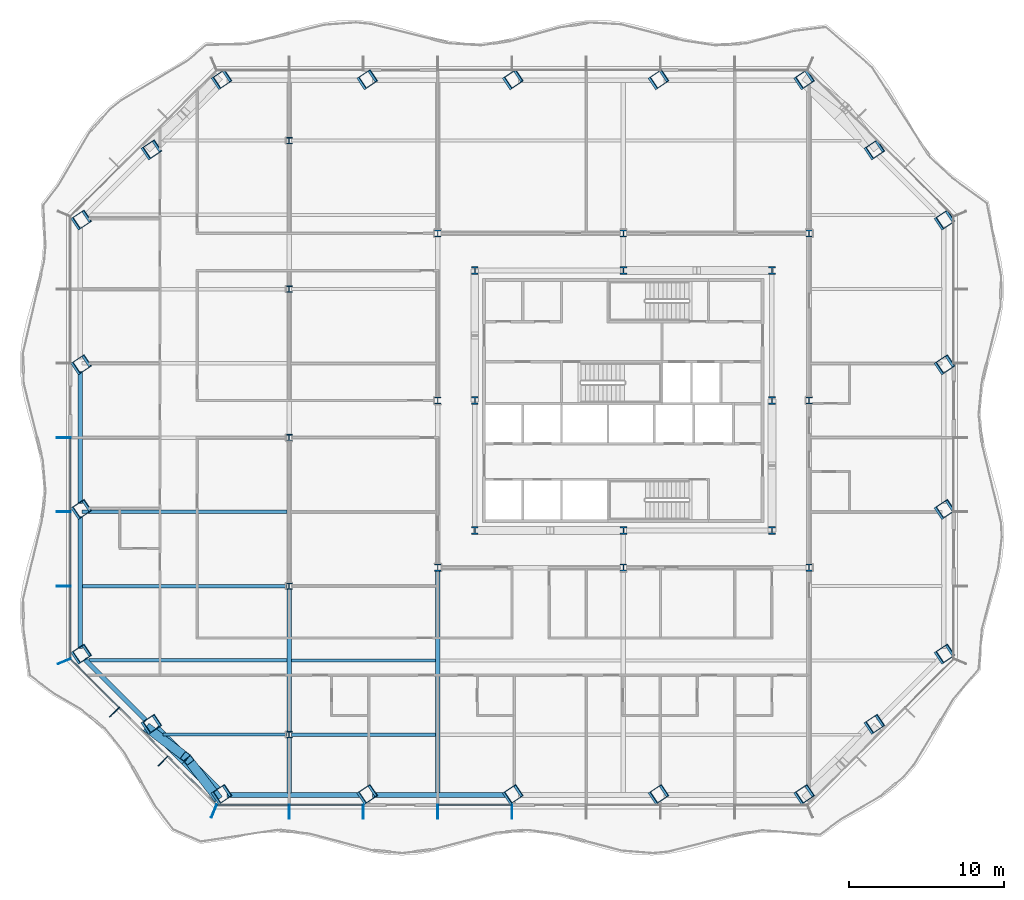
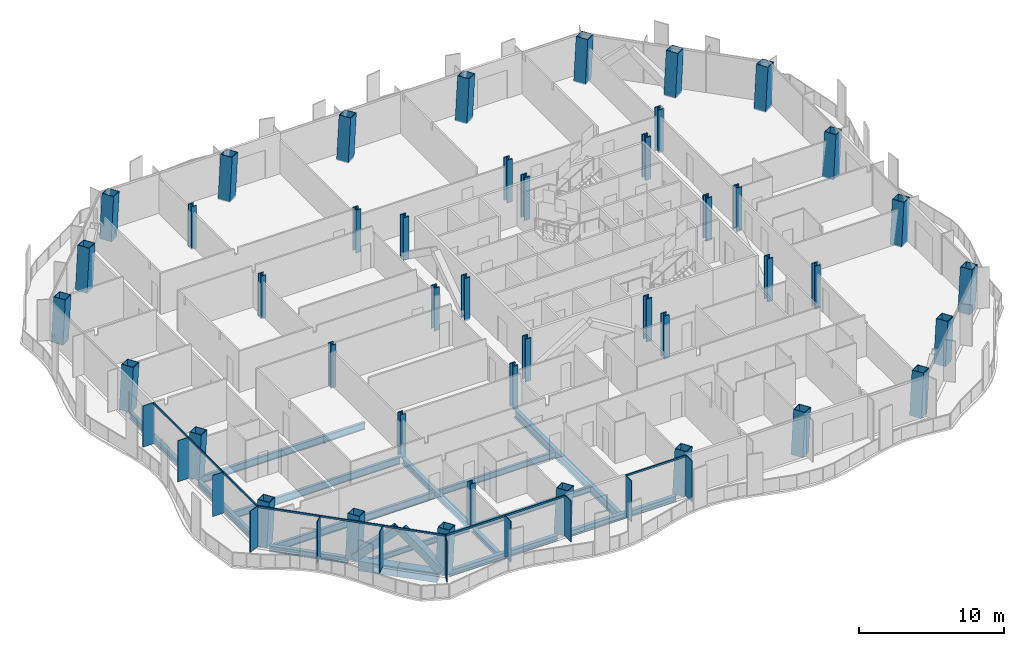
# One storey, part 1 of 20: 43 columns, 22 members, 16 beams, 3 elements without a shape of their own.
"""IFC4 building model written with IfcOpenShell, lengths in metres."""

from ifc_helpers import new_model, si_unit, direction, frame, origin, origin_2d, place, context, subcontext, project, spatial, rectangle, hollow_rectangle, i_section, extrude, clip, halfspace, material, material_profile, profile_set, type_object, element, aggregate, save


model = new_model("IFC4")

# Units and contexts
model_context = context("Model", 3, precision=1e-05, world=origin(), true_north=direction((0.0, 1.0)))
body_context = subcontext(model_context, "Body", "Model", "MODEL_VIEW")
ifc_project = project(units=[si_unit("LENGTHUNIT", "METRE"), si_unit("AREAUNIT", "SQUARE_METRE"), si_unit("VOLUMEUNIT", "CUBIC_METRE"), si_unit("PLANEANGLEUNIT", "RADIAN"), si_unit("MASSUNIT", "GRAM", prefix="KILO")], contexts=[model_context])

# Site, building, storey
site_placement = place(None, origin())
site = spatial("IfcSite", under=ifc_project, at=site_placement, CompositionType="ELEMENT")
building_placement = place(site_placement, origin())
building = spatial("IfcBuilding", under=site, at=building_placement, Name="Cairn Pilgrim Tower", CompositionType="ELEMENT")
storey_placement = place(building_placement, frame((0.0, 0.0, 87.0)))
storey = spatial("IfcBuildingStorey", under=building, at=storey_placement, Name="L20", CompositionType="ELEMENT", Elevation=87.0)

# Columns
ifc_material_1 = material(Name="Structural steel S460M", Category="steel")
ifc_material_profile_1 = material_profile(ifc_material_1, hollow_rectangle(XDim=0.89990234375, YDim=0.89990234375, WallThickness=0.050048828125, at=origin_2d()), Name="BOX 900x900x50")
ifc_profile_set_1 = profile_set([ifc_material_profile_1], Name="Structural steel S460M")
column_type_1 = type_object("IfcColumnType", Name="BOX 900x900x50", PredefinedType="COLUMN", material=ifc_profile_set_1)
for number, where, z_axis, x_axis, name in (
    (1, (-18.8271484375, -23.10009765625, -0.14990234375), (0.08854128513, 0.059072479645, 0.994319306348), (-0.554992571124, 0.831855303522, 0.0), "PC1-S1"),
    (2, (-9.41357421875, -23.10009765625, -0.14990234375), (0.08854128513, 0.059072479645, 0.994319306348), (-0.554992571124, 0.831855303522, 0.0), "PC1-S2"),
    (3, (0.0, -23.10009765625, -0.14990234375), (0.08854128513, 0.059072479645, 0.994319306348), (-0.554992571124, 0.831855303522, 0.0), "PC1-S3"),
    (4, (9.41357421875, -23.10009765625, -0.14990234375), (0.08854128513, 0.059072479645, 0.994319306348), (-0.554992571124, 0.831855303522, 0.0), "PC1-S4"),
    (5, (18.8271484375, -23.10009765625, -0.14990234375), (0.08854128513, 0.059072479645, 0.994319306348), (-0.554992571124, 0.831855303522, 0.0), "PC1-SE1"),
    (6, (23.363525390625, -18.563720703125, -0.14990234375), (0.08854128513, 0.059072479645, 0.994319306348), (-0.554992571124, 0.831855303522, 0.0), "PC1-SE2"),
    (7, (27.89990234375, -14.027099609375, -0.14990234375), (0.088541637636, 0.059005280222, 0.994323264995), (-0.554553931674, 0.832147785472, 0.0), "PC1-E1"),
    (8, (27.89990234375, -4.67578125, -0.14990234375), (0.088541637636, 0.059005280222, 0.994323264995), (-0.554553931674, 0.832147785472, 0.0), "PC1-E2"),
    (9, (27.89990234375, 4.67578125, -0.14990234375), (0.088541637636, 0.059005280222, 0.994323264995), (-0.554553931674, 0.832147785472, 0.0), "PC1-E3"),
    (10, (27.89990234375, 14.027099609375, -0.14990234375), (0.08854128513, 0.059072479645, 0.994319306348), (-0.554992571124, 0.831855303522, 0.0), "PC1-NE1"),
    (11, (23.363525390625, 18.563720703125, -0.14990234375), (0.088541637636, 0.059005280222, 0.994323264995), (-0.554553931674, 0.832147785472, 0.0), "PC1-NE2"),
    (12, (18.8271484375, 23.10009765625, -0.14990234375), (0.088541637636, 0.059005280222, 0.994323264995), (-0.554553931674, 0.832147785472, 0.0), "PC1-N1"),
    (13, (9.41357421875, 23.10009765625, -0.14990234375), (0.088541637636, 0.059005280222, 0.994323264995), (-0.554553931674, 0.832147785472, 0.0), "PC1-N2"),
    (14, (0.0, 23.10009765625, -0.14990234375), (0.088541637636, 0.059005280222, 0.994323264995), (-0.554553931674, 0.832147785472, 0.0), "PC1-N3"),
    (15, (-9.41357421875, 23.10009765625, -0.14990234375), (0.088541637636, 0.059005280222, 0.994323264995), (-0.554553931674, 0.832147785472, 0.0), "PC1-N4"),
    (16, (-18.8271484375, 23.10009765625, -0.14990234375), (0.088541637636, 0.059005280222, 0.994323264995), (-0.554553931674, 0.832147785472, 0.0), "PC1-NW1"),
    (17, (-23.363525390625, 18.563720703125, -0.14990234375), (0.088474731092, 0.059005632398, 0.994329199663), (-0.554846520795, 0.831952726038, 0.0), "PC1-NW2"),
    (18, (-27.89990234375, 14.027099609375, -0.14990234375), (0.088474378848, 0.059072832219, 0.994325240945), (-0.555285185709, 0.831660004167, 0.0), "PC1-W1"),
    (19, (-27.89990234375, 4.67578125, -0.14990234375), (0.088474731092, 0.059005632398, 0.994329199663), (-0.554846520795, 0.831952726038, 0.0), "PC1-W2"),
    (20, (-27.89990234375, -4.67578125, -0.14990234375), (0.088474731092, 0.059005632398, 0.994329199663), (-0.554846520795, 0.831952726038, 0.0), "PC1-W3"),
    (21, (-27.89990234375, -14.027099609375, -0.14990234375), (0.088474731092, 0.059005632398, 0.994329199663), (-0.554846520795, 0.831952726038, 0.0), "PC1-SW1"),
    (22, (-23.363525390625, -18.563720703125, -0.14990234375), (0.088474378848, 0.059072832219, 0.994325240945), (-0.555285185709, 0.831660004167, 0.0), "PC1-SW2"),
):
    element("IfcColumn", number, at=place(storey_placement, frame(where, z_axis=z_axis, x_axis=x_axis)), inside=storey, type_object=column_type_1, Name=name, PredefinedType="COLUMN", context=body_context, shape_type="Clipping", body=[
        clip(clip(extrude(hollow_rectangle(XDim=0.89990234375, YDim=0.89990234375, WallThickness=0.050048828125, at=origin_2d()), origin(), (0.0, 0.0, 1.0), 3.620361328125), halfspace(frame((0.0, 0.0, 0.02392578125), z_axis=(0.0, 0.0, 1.0), x_axis=(1.0, 0.0, 0.0)), True)), halfspace(frame((0.0, 0.0, 3.5966796875), z_axis=(0.0, 0.0, 1.0), x_axis=(1.0, 0.0, 0.0)), False)),
    ])
ifc_material_profile_2 = material_profile(ifc_material_1, i_section(OverallWidth=0.408935546875, OverallDepth=0.425048828125, WebThickness=0.03271484375, FlangeThickness=0.052490234375, FilletRadius=0.014892578125, at=origin_2d()), Name="HD 400x421")
ifc_profile_set_2 = profile_set([ifc_material_profile_2], Name="Structural steel S460M")
column_type_2 = type_object("IfcColumnType", Name="HD 400x421", PredefinedType="COLUMN", material=ifc_profile_set_2)
for number, where, z_axis, x_axis, name in (
    (23, (-14.39990234375, -19.199951171875, -0.14990234375), (0.0, 0.0, 1.0), (1.0, 0.0, 0.0), "WC-WW-4"),
    (24, (-14.39990234375, -9.60009765625, -0.14990234375), (0.0, 0.0, 1.0), (1.0, 0.0, 0.0), "WC-WW-2"),
    (25, (-14.39990234375, 0.0, -0.14990234375), (0.0, 0.0, 1.0), (1.0, 0.0, 0.0), "WC-WW+0"),
    (26, (-14.39990234375, 9.60009765625, -0.14990234375), (0.0, 0.0, 1.0), (1.0, 0.0, 0.0), "WC-WW+2"),
    (27, (-14.39990234375, 19.199951171875, -0.14990234375), (0.0, 0.0, 1.0), (1.0, 0.0, 0.0), "WC-WW+4"),
):
    element("IfcColumn", number, at=place(storey_placement, frame(where, z_axis=z_axis, x_axis=x_axis)), inside=storey, type_object=column_type_2, Name=name, PredefinedType="COLUMN", context=body_context, shape_type="SweptSolid", body=[
        extrude(i_section(OverallWidth=0.408935546875, OverallDepth=0.425048828125, WebThickness=0.03271484375, FlangeThickness=0.052490234375, FilletRadius=0.014892578125, at=origin_2d()), origin(), (0.0, 0.0, 1.0), 3.599853515625),
    ])
ifc_material_profile_3 = material_profile(ifc_material_1, i_section(OverallWidth=0.424072265625, OverallDepth=0.47412109375, WebThickness=0.047607421875, FlangeThickness=0.0771484375, FilletRadius=0.014892578125, at=origin_2d()), Name="HD 400x634")
ifc_profile_set_3 = profile_set([ifc_material_profile_3], Name="Structural steel S460M")
column_type_3 = type_object("IfcColumnType", Name="HD 400x634", PredefinedType="COLUMN", material=ifc_profile_set_3)
for number, where, z_axis, x_axis, name in (
    (28, (-4.800048828125, -8.39990234375, -0.14990234375), (0.0, 0.0, 1.0), (1.0, 0.0, 0.0), "IC-1"),
    (29, (7.199951171875, -8.39990234375, -0.14990234375), (0.0, 0.0, 1.0), (1.0, 0.0, 0.0), "IC-2"),
    (30, (19.199951171875, -8.39990234375, -0.14990234375), (0.0, 0.0, 1.0), (1.0, 0.0, 0.0), "IC-3"),
    (31, (-4.800048828125, 2.39990234375, -0.14990234375), (0.0, 0.0, 1.0), (1.0, 0.0, 0.0), "IC-4"),
    (32, (19.199951171875, 2.39990234375, -0.14990234375), (0.0, 0.0, 1.0), (1.0, 0.0, 0.0), "IC-5"),
    (33, (-4.800048828125, 13.199951171875, -0.14990234375), (0.0, 0.0, 1.0), (1.0, 0.0, 0.0), "IC-6"),
    (34, (7.199951171875, 13.199951171875, -0.14990234375), (0.0, 0.0, 1.0), (1.0, 0.0, 0.0), "IC-7"),
    (35, (19.199951171875, 13.199951171875, -0.14990234375), (0.0, 0.0, 1.0), (1.0, 0.0, 0.0), "IC-8"),
):
    element("IfcColumn", number, at=place(storey_placement, frame(where, z_axis=z_axis, x_axis=x_axis)), inside=storey, type_object=column_type_3, Name=name, PredefinedType="COLUMN", context=body_context, shape_type="SweptSolid", body=[
        extrude(i_section(OverallWidth=0.424072265625, OverallDepth=0.47412109375, WebThickness=0.047607421875, FlangeThickness=0.0771484375, FilletRadius=0.014892578125, at=origin_2d()), origin(), (0.0, 0.0, 1.0), 3.599853515625),
    ])
ifc_material_profile_4 = material_profile(ifc_material_1, i_section(OverallWidth=0.43701171875, OverallDepth=0.513916015625, WebThickness=0.060546875, FlangeThickness=0.096923828125, FilletRadius=0.014892578125, at=origin_2d()), Name="HD 400x818")
ifc_profile_set_4 = profile_set([ifc_material_profile_4], Name="Structural steel S460M")
column_type_4 = type_object("IfcColumnType", Name="HD 400x818", PredefinedType="COLUMN", material=ifc_profile_set_4)
for number, where, z_axis, x_axis, name in (
    (36, (-2.39990234375, -6.0, -0.14990234375), (0.0, 0.0, 1.0), (1.0, 0.0, 0.0), "KC-1"),
    (37, (7.199951171875, -6.0, -0.14990234375), (0.0, 0.0, 1.0), (1.0, 0.0, 0.0), "KC-2"),
    (38, (16.800048828125, -6.0, -0.14990234375), (0.0, 0.0, 1.0), (1.0, 0.0, 0.0), "KC-3"),
    (39, (-2.39990234375, 2.39990234375, -0.14990234375), (0.0, 0.0, 1.0), (1.0, 0.0, 0.0), "KC-4"),
    (40, (16.800048828125, 2.39990234375, -0.14990234375), (0.0, 0.0, 1.0), (1.0, 0.0, 0.0), "KC-5"),
    (41, (-2.39990234375, 10.800048828125, -0.14990234375), (0.0, 0.0, 1.0), (1.0, 0.0, 0.0), "KC-6"),
    (42, (7.199951171875, 10.800048828125, -0.14990234375), (0.0, 0.0, 1.0), (1.0, 0.0, 0.0), "KC-7"),
    (43, (16.800048828125, 10.800048828125, -0.14990234375), (0.0, 0.0, 1.0), (1.0, 0.0, 0.0), "KC-8"),
):
    element("IfcColumn", number, at=place(storey_placement, frame(where, z_axis=z_axis, x_axis=x_axis)), inside=storey, type_object=column_type_4, Name=name, PredefinedType="COLUMN", context=body_context, shape_type="SweptSolid", body=[
        extrude(i_section(OverallWidth=0.43701171875, OverallDepth=0.513916015625, WebThickness=0.060546875, FlangeThickness=0.096923828125, FilletRadius=0.014892578125, at=origin_2d()), origin(), (0.0, 0.0, 1.0), 3.599853515625),
    ])

# Members
ifc_material_profile_5 = material_profile(ifc_material_1, hollow_rectangle(XDim=0.60009765625, YDim=0.60009765625, WallThickness=0.034912109375, at=origin_2d()), Name="BOX 600x600x35")
ifc_profile_set_5 = profile_set([ifc_material_profile_5], Name="Structural steel S460M")
member_type_1 = type_object("IfcMemberType", Name="BOX 600x600x35 BRACE", PredefinedType="BRACE", material=ifc_profile_set_5)
for number, where, z_axis, x_axis, name in (
    (44, (-23.4873046875, -18.814697265625, 0.14990234375), (0.596838909683, -0.455725356868, 0.660376949171), (0.606877821652, 0.794795136867, 0.0), "XB-SW2-S1-1"),
    (45, (-19.078125, -23.2236328125, 0.14990234375), (-0.455790882964, 0.596782524458, 0.660382684137), (-0.794725387621, -0.606969157594, 0.0), "XB-SW2-S1-2"),
):
    element("IfcMember", number, at=place(storey_placement, frame(where, z_axis=z_axis, x_axis=x_axis)), inside=storey, type_object=member_type_1, Name=name, PredefinedType="BRACE", context=body_context, shape_type="SweptSolid", body=[
        extrude(hollow_rectangle(XDim=0.60009765625, YDim=0.60009765625, WallThickness=0.034912109375, at=origin_2d()), origin(), (0.0, 0.0, 1.0), 3.96533203125),
    ])

# Beams
ifc_material_2 = material(Name="Structural steel S355J2", Category="steel")
ifc_material_profile_6 = material_profile(ifc_material_2, hollow_rectangle(XDim=0.699951171875, YDim=0.800048828125, WallThickness=0.0400390625, at=origin_2d()), Name="BOX 700x800x40")
ifc_profile_set_6 = profile_set([ifc_material_profile_6], Name="Structural steel S355J2")
beam_type_1 = type_object("IfcBeamType", Name="BOX 700x800x40 RING GIRDER", PredefinedType="SPANDREL", material=ifc_profile_set_6)
beam_1_placement = place(storey_placement, frame((-23.0771484375, -18.85009765625, -0.550048828125), z_axis=(0.707106781187, -0.707106781187, 0.0), x_axis=(0.707106781187, 0.707106781187, 0.0)))
element("IfcBeam", 46, at=beam_1_placement, inside=storey, type_object=beam_type_1, Name="RG1-SW2-S1-1", PredefinedType="SPANDREL", context=body_context, shape_type="SweptSolid", body=[
    extrude(hollow_rectangle(XDim=0.699951171875, YDim=0.800048828125, WallThickness=0.0400390625, at=origin_2d()), origin(), (0.0, 0.0, 1.0), 2.802490234375),
])
beam_2_placement = place(storey_placement, frame((-21.095458984375, -20.831787109375, -0.550048828125), z_axis=(0.707106781187, -0.707106781187, 0.0), x_axis=(0.707106781187, 0.707106781187, 0.0)))
element("IfcBeam", 47, at=beam_2_placement, inside=storey, type_object=beam_type_1, Name="RG1-SW2-S1-2", PredefinedType="SPANDREL", context=body_context, shape_type="SweptSolid", body=[
    extrude(hollow_rectangle(XDim=0.699951171875, YDim=0.800048828125, WallThickness=0.0400390625, at=origin_2d()), origin(), (0.0, 0.0, 1.0), 2.802978515625),
])

# Curtain wall, members
ifc_material_3 = material(Name="Aluminium alloy 6063-T6 bronze anodised with Bronze tinted laminated low-E glass 8+16+8.8", Category="aluminium")
curtain_wall_type_1 = type_object("IfcCurtainWallType", Name="TOWER STICK CURTAIN WALL NS", PredefinedType="NOTDEFINED", material=ifc_material_3)
curtain_wall_1_placement = place(storey_placement, origin())
curtain_wall_1 = element("IfcCurtainWall", 48, at=curtain_wall_1_placement, inside=storey, type_object=curtain_wall_type_1, Name="Tower Stick Curtain Wall Ns S", PredefinedType="NOTDEFINED")
ifc_material_4 = material(Name="Aluminium alloy 6063-T6 bronze anodised", Category="aluminium")
ifc_material_profile_7 = material_profile(ifc_material_4, rectangle(XDim=0.89990234375, YDim=0.06005859375, at=origin_2d()), Name="FIN MULLION 60x900 BRONZE")
ifc_profile_set_7 = profile_set([ifc_material_profile_7], Name="Aluminium alloy 6063-T6 bronze anodised")
member_type_2 = type_object("IfcMemberType", Name="FIN MULLION 60x900 BRONZE", PredefinedType="MULLION", material=ifc_profile_set_7)
member_1_placement = place(storey_placement, frame((-19.257080078125, -24.137939453125, 0.0), z_axis=(0.0, 0.0, 1.0), x_axis=(-0.382683432365, -0.923879532511, 0.0)))
member_1 = element("IfcMember", 49, at=member_1_placement, type_object=member_type_2, Name="Fin mullion S1", PredefinedType="MULLION", context=body_context, shape_type="SweptSolid", body=[
    extrude(rectangle(XDim=0.89990234375, YDim=0.06005859375, at=origin_2d()), origin(), (0.0, 0.0, 1.0), 3.449951171875),
])
member_2_placement = place(storey_placement, frame((-14.39990234375, -24.169921875, 0.0), z_axis=(0.0, 0.0, 1.0), x_axis=(0.0, -1.0, 0.0)))
member_2 = element("IfcMember", 50, at=member_2_placement, type_object=member_type_2, Name="Fin mullion S2", PredefinedType="MULLION", context=body_context, shape_type="SweptSolid", body=[
    extrude(rectangle(XDim=0.89990234375, YDim=0.06005859375, at=origin_2d()), origin(), (0.0, 0.0, 1.0), 3.449951171875),
])
member_3_placement = place(storey_placement, frame((-9.60009765625, -24.169921875, 0.0), z_axis=(0.0, 0.0, 1.0), x_axis=(0.0, -1.0, 0.0)))
member_3 = element("IfcMember", 51, at=member_3_placement, type_object=member_type_2, Name="Fin mullion S3", PredefinedType="MULLION", context=body_context, shape_type="SweptSolid", body=[
    extrude(rectangle(XDim=0.89990234375, YDim=0.06005859375, at=origin_2d()), origin(), (0.0, 0.0, 1.0), 3.449951171875),
])
member_4_placement = place(storey_placement, frame((-4.800048828125, -24.169921875, 0.0), z_axis=(0.0, 0.0, 1.0), x_axis=(0.0, -1.0, 0.0)))
member_4 = element("IfcMember", 52, at=member_4_placement, type_object=member_type_2, Name="Fin mullion S4", PredefinedType="MULLION", context=body_context, shape_type="SweptSolid", body=[
    extrude(rectangle(XDim=0.89990234375, YDim=0.06005859375, at=origin_2d()), origin(), (0.0, 0.0, 1.0), 3.449951171875),
])
member_5_placement = place(storey_placement, frame((0.0, -24.169921875, 0.0), z_axis=(0.0, 0.0, 1.0), x_axis=(0.0, -1.0, 0.0)))
member_5 = element("IfcMember", 53, at=member_5_placement, type_object=member_type_2, Name="Fin mullion S5", PredefinedType="MULLION", context=body_context, shape_type="SweptSolid", body=[
    extrude(rectangle(XDim=0.89990234375, YDim=0.06005859375, at=origin_2d()), origin(), (0.0, 0.0, 1.0), 3.449951171875),
])

curtain_wall_type_2 = type_object("IfcCurtainWallType", Name="TOWER STICK CURTAIN WALL EW", PredefinedType="NOTDEFINED", material=ifc_material_3)
curtain_wall_2_placement = place(storey_placement, origin())
curtain_wall_2 = element("IfcCurtainWall", 54, at=curtain_wall_2_placement, inside=storey, type_object=curtain_wall_type_2, Name="Tower Stick Curtain Wall Ew W", PredefinedType="NOTDEFINED")
member_6_placement = place(storey_placement, frame((-28.969970703125, 0.0, 0.0), z_axis=(0.0, 0.0, 1.0), x_axis=(-1.0, 0.0, 0.0)))
member_6 = element("IfcMember", 55, at=member_6_placement, type_object=member_type_2, Name="Fin mullion W4", PredefinedType="MULLION", context=body_context, shape_type="SweptSolid", body=[
    extrude(rectangle(XDim=0.89990234375, YDim=0.06005859375, at=origin_2d()), origin(), (0.0, 0.0, 1.0), 3.449951171875),
])
member_7_placement = place(storey_placement, frame((-28.969970703125, -4.800048828125, 0.0), z_axis=(0.0, 0.0, 1.0), x_axis=(-1.0, 0.0, 0.0)))
member_7 = element("IfcMember", 56, at=member_7_placement, type_object=member_type_2, Name="Fin mullion W5", PredefinedType="MULLION", context=body_context, shape_type="SweptSolid", body=[
    extrude(rectangle(XDim=0.89990234375, YDim=0.06005859375, at=origin_2d()), origin(), (0.0, 0.0, 1.0), 3.449951171875),
])
member_8_placement = place(storey_placement, frame((-28.969970703125, -9.60009765625, 0.0), z_axis=(0.0, 0.0, 1.0), x_axis=(-1.0, 0.0, 0.0)))
member_8 = element("IfcMember", 57, at=member_8_placement, type_object=member_type_2, Name="Fin mullion W6", PredefinedType="MULLION", context=body_context, shape_type="SweptSolid", body=[
    extrude(rectangle(XDim=0.89990234375, YDim=0.06005859375, at=origin_2d()), origin(), (0.0, 0.0, 1.0), 3.449951171875),
])

curtain_wall_type_3 = type_object("IfcCurtainWallType", Name="CHAMFER CORNER CURTAIN WALL", PredefinedType="NOTDEFINED", material=ifc_material_3)
curtain_wall_3_placement = place(storey_placement, origin())
curtain_wall_3 = element("IfcCurtainWall", 58, at=curtain_wall_3_placement, inside=storey, type_object=curtain_wall_type_3, Name="Chamfer Corner Curtain Wall SW", PredefinedType="NOTDEFINED")
member_9_placement = place(storey_placement, frame((-28.93798828125, -14.457275390625, 0.0), z_axis=(0.0, 0.0, 1.0), x_axis=(-0.923879532511, -0.382683432365, 0.0)))
member_9 = element("IfcMember", 59, at=member_9_placement, type_object=member_type_2, Name="Fin mullion SW1", PredefinedType="MULLION", context=body_context, shape_type="SweptSolid", body=[
    extrude(rectangle(XDim=0.89990234375, YDim=0.06005859375, at=origin_2d()), origin(), (0.0, 0.0, 1.0), 3.449951171875),
])
member_10_placement = place(storey_placement, frame((-25.69580078125, -17.74462890625, 0.0), z_axis=(0.0, 0.0, 1.0), x_axis=(-0.707106781187, -0.707106781187, 0.0)))
member_10 = element("IfcMember", 60, at=member_10_placement, type_object=member_type_2, Name="Fin mullion SW2", PredefinedType="MULLION", context=body_context, shape_type="SweptSolid", body=[
    extrude(rectangle(XDim=0.89990234375, YDim=0.06005859375, at=origin_2d()), origin(), (0.0, 0.0, 1.0), 3.449951171875),
])
member_11_placement = place(storey_placement, frame((-22.544677734375, -20.895751953125, 0.0), z_axis=(0.0, 0.0, 1.0), x_axis=(-0.707106781187, -0.707106781187, 0.0)))
member_11 = element("IfcMember", 61, at=member_11_placement, type_object=member_type_2, Name="Fin mullion SW3", PredefinedType="MULLION", context=body_context, shape_type="SweptSolid", body=[
    extrude(rectangle(XDim=0.89990234375, YDim=0.06005859375, at=origin_2d()), origin(), (0.0, 0.0, 1.0), 3.449951171875),
])

# Beams
ifc_material_profile_8 = material_profile(ifc_material_2, i_section(OverallWidth=0.300048828125, OverallDepth=0.39990234375, WebThickness=0.013427734375, FlangeThickness=0.02392578125, FilletRadius=0.027099609375, at=origin_2d()), Name="HEB 400")
ifc_profile_set_8 = profile_set([ifc_material_profile_8], Name="Structural steel S355J2")
beam_type_2 = type_object("IfcBeamType", Name="HEB 400 GIRDER", PredefinedType="BEAM", material=ifc_profile_set_8)
beam_3_placement = place(storey_placement, frame((-14.39990234375, -22.97998046875, -0.35009765625), z_axis=(0.0, 1.0, 0.0), x_axis=(-1.0, 0.0, 0.0)))
element("IfcBeam", 62, at=beam_3_placement, inside=storey, type_object=beam_type_2, Name="PG1-1", PredefinedType="BEAM", context=body_context, shape_type="SweptSolid", body=[
    extrude(i_section(OverallWidth=0.300048828125, OverallDepth=0.39990234375, WebThickness=0.013427734375, FlangeThickness=0.02392578125, FilletRadius=0.027099609375, at=origin_2d()), origin(), (0.0, 0.0, 1.0), 3.575439453125),
])
ifc_material_profile_9 = material_profile(ifc_material_2, i_section(OverallWidth=0.300048828125, OverallDepth=0.5, WebThickness=0.014404296875, FlangeThickness=0.028076171875, FilletRadius=0.027099609375, at=origin_2d()), Name="HEB 500")
ifc_profile_set_9 = profile_set([ifc_material_profile_9], Name="Structural steel S355J2")
beam_type_3 = type_object("IfcBeamType", Name="HEB 500 GIRDER", PredefinedType="BEAM", material=ifc_profile_set_9)
beam_4_placement = place(storey_placement, frame((-14.39990234375, -18.99560546875, -0.39990234375), z_axis=(0.0, 1.0, 0.0), x_axis=(-1.0, 0.0, 0.0)))
element("IfcBeam", 63, at=beam_4_placement, inside=storey, type_object=beam_type_3, Name="PG1-2", PredefinedType="BEAM", context=body_context, shape_type="SweptSolid", body=[
    extrude(i_section(OverallWidth=0.300048828125, OverallDepth=0.5, WebThickness=0.014404296875, FlangeThickness=0.028076171875, FilletRadius=0.027099609375, at=origin_2d()), origin(), (0.0, 0.0, 1.0), 9.191162109375),
])
ifc_material_profile_10 = material_profile(ifc_material_2, i_section(OverallWidth=0.300048828125, OverallDepth=0.5, WebThickness=0.014404296875, FlangeThickness=0.028076171875, FilletRadius=0.027099609375, at=origin_2d()), Name="HEB 500")
ifc_profile_set_10 = profile_set([ifc_material_profile_10], Name="Structural steel S355J2")
beam_type_4 = type_object("IfcBeamType", Name="HEB 500 RING GIRDER", PredefinedType="SPANDREL", material=ifc_profile_set_10)
for number, where, z_axis, x_axis, name in (
    (64, (-18.422119140625, -23.10009765625, -0.39990234375), (1.0, 0.0, 0.0), (0.0, 1.0, 0.0), "RG1-S1-S2"),
    (65, (-9.008544921875, -23.10009765625, -0.39990234375), (1.0, 0.0, 0.0), (0.0, 1.0, 0.0), "RG1-S2-S3"),
):
    element("IfcBeam", number, at=place(storey_placement, frame(where, z_axis=z_axis, x_axis=x_axis)), inside=storey, type_object=beam_type_4, Name=name, PredefinedType="SPANDREL", context=body_context, shape_type="SweptSolid", body=[
        extrude(i_section(OverallWidth=0.300048828125, OverallDepth=0.5, WebThickness=0.014404296875, FlangeThickness=0.028076171875, FilletRadius=0.027099609375, at=origin_2d()), origin(), (0.0, 0.0, 1.0), 8.603515625),
    ])
for number, where, z_axis, x_axis, name in (
    (66, (-27.89990234375, 4.270751953125, -0.39990234375), (0.0, -1.0, 0.0), (1.0, 0.0, 0.0), "RG1-W2-W3"),
    (67, (-27.89990234375, -5.080810546875, -0.39990234375), (0.0, -1.0, 0.0), (1.0, 0.0, 0.0), "RG1-W3-SW1"),
):
    element("IfcBeam", number, at=place(storey_placement, frame(where, z_axis=z_axis, x_axis=x_axis)), inside=storey, type_object=beam_type_4, Name=name, PredefinedType="SPANDREL", context=body_context, shape_type="SweptSolid", body=[
        extrude(i_section(OverallWidth=0.300048828125, OverallDepth=0.5, WebThickness=0.014404296875, FlangeThickness=0.028076171875, FilletRadius=0.027099609375, at=origin_2d()), origin(), (0.0, 0.0, 1.0), 8.54150390625),
    ])
beam_5_placement = place(storey_placement, frame((-27.613525390625, -14.313720703125, -0.39990234375), z_axis=(0.707128558756, -0.707085002947, 0.0), x_axis=(0.707085002947, 0.707128558756, 0.0)))
element("IfcBeam", 68, at=beam_5_placement, inside=storey, type_object=beam_type_4, Name="RG1-SW1-SW2", PredefinedType="SPANDREL", context=body_context, shape_type="SweptSolid", body=[
    extrude(i_section(OverallWidth=0.300048828125, OverallDepth=0.5, WebThickness=0.014404296875, FlangeThickness=0.028076171875, FilletRadius=0.027099609375, at=origin_2d()), origin(), (0.0, 0.0, 1.0), 5.605224609375),
])
ifc_material_profile_11 = material_profile(ifc_material_2, i_section(OverallWidth=0.300048828125, OverallDepth=0.699951171875, WebThickness=0.01708984375, FlangeThickness=0.031982421875, FilletRadius=0.027099609375, at=origin_2d()), Name="HEB 700")
ifc_profile_set_11 = profile_set([ifc_material_profile_11], Name="Structural steel S355J2")
beam_type_5 = type_object("IfcBeamType", Name="HEB 700 GIRDER", PredefinedType="BEAM", material=ifc_profile_set_11)
beam_6_placement = place(storey_placement, frame((-4.800048828125, -22.97998046875, -0.5), z_axis=(0.0, 1.0, 0.0), x_axis=(-1.0, 0.0, 0.0)))
element("IfcBeam", 69, at=beam_6_placement, inside=storey, type_object=beam_type_5, Name="PG2-1", PredefinedType="BEAM", context=body_context, shape_type="SweptSolid", body=[
    extrude(i_section(OverallWidth=0.300048828125, OverallDepth=0.699951171875, WebThickness=0.01708984375, FlangeThickness=0.031982421875, FilletRadius=0.027099609375, at=origin_2d()), origin(), (0.0, 0.0, 1.0), 14.367919921875),
])
ifc_material_profile_12 = material_profile(ifc_material_2, i_section(OverallWidth=0.18994140625, OverallDepth=0.449951171875, WebThickness=0.009521484375, FlangeThickness=0.0146484375, FilletRadius=0.02099609375, at=origin_2d()), Name="IPE 450")
ifc_profile_set_12 = profile_set([ifc_material_profile_12], Name="Structural steel S355J2")
beam_type_6 = type_object("IfcBeamType", Name="IPE 450 SECONDARY BEAM", PredefinedType="JOIST", material=ifc_profile_set_12)
beam_7_placement = place(storey_placement, frame((-22.545166015625, -19.199951171875, -0.375), z_axis=(1.0, 0.0, 0.0), x_axis=(0.0, 1.0, 0.0)))
element("IfcBeam", 70, at=beam_7_placement, inside=storey, type_object=beam_type_6, Name="SB1-1", PredefinedType="JOIST", context=body_context, shape_type="SweptSolid", body=[
    extrude(i_section(OverallWidth=0.18994140625, OverallDepth=0.449951171875, WebThickness=0.009521484375, FlangeThickness=0.0146484375, FilletRadius=0.02099609375, at=origin_2d()), origin(), (0.0, 0.0, 1.0), 7.9951171875),
])
ifc_material_profile_13 = material_profile(ifc_material_2, i_section(OverallWidth=0.199951171875, OverallDepth=0.5, WebThickness=0.01025390625, FlangeThickness=0.01611328125, FilletRadius=0.02099609375, at=origin_2d()), Name="IPE 500")
ifc_profile_set_13 = profile_set([ifc_material_profile_13], Name="Structural steel S355J2")
beam_type_7 = type_object("IfcBeamType", Name="IPE 500 SECONDARY BEAM", PredefinedType="JOIST", material=ifc_profile_set_13)
for number, where, z_axis, x_axis, name in (
    (71, (-14.25, -19.199951171875, -0.39990234375), (1.0, 0.0, 0.0), (0.0, 1.0, 0.0), "SB1-2"),
    (72, (-14.25, -14.39990234375, -0.39990234375), (1.0, 0.0, 0.0), (0.0, 1.0, 0.0), "SB2-2"),
):
    element("IfcBeam", number, at=place(storey_placement, frame(where, z_axis=z_axis, x_axis=x_axis)), inside=storey, type_object=beam_type_7, Name=name, PredefinedType="JOIST", context=body_context, shape_type="SweptSolid", body=[
        extrude(i_section(OverallWidth=0.199951171875, OverallDepth=0.5, WebThickness=0.01025390625, FlangeThickness=0.01611328125, FilletRadius=0.02099609375, at=origin_2d()), origin(), (0.0, 0.0, 1.0), 9.300048828125),
    ])
ifc_material_profile_14 = material_profile(ifc_material_2, i_section(OverallWidth=0.219970703125, OverallDepth=0.60009765625, WebThickness=0.011962890625, FlangeThickness=0.01904296875, FilletRadius=0.02392578125, at=origin_2d()), Name="IPE 600")
ifc_profile_set_14 = profile_set([ifc_material_profile_14], Name="Structural steel S355J2")
beam_type_8 = type_object("IfcBeamType", Name="IPE 600 SECONDARY BEAM", PredefinedType="JOIST", material=ifc_profile_set_14)
beam_8_placement = place(storey_placement, frame((-27.34521484375, -14.39990234375, -0.449951171875), z_axis=(1.0, 0.0, 0.0), x_axis=(0.0, 1.0, 0.0)))
element("IfcBeam", 73, at=beam_8_placement, inside=storey, type_object=beam_type_8, Name="SB2-1", PredefinedType="JOIST", context=body_context, shape_type="SweptSolid", body=[
    extrude(i_section(OverallWidth=0.219970703125, OverallDepth=0.60009765625, WebThickness=0.011962890625, FlangeThickness=0.01904296875, FilletRadius=0.02392578125, at=origin_2d()), origin(), (0.0, 0.0, 1.0), 12.795166015625),
])
for number, where, z_axis, x_axis, name in (
    (74, (-27.780029296875, -9.60009765625, -0.449951171875), (1.0, 0.0, 0.0), (0.0, 1.0, 0.0), "SB3-1"),
    (75, (-27.780029296875, -4.800048828125, -0.449951171875), (1.0, 0.0, 0.0), (0.0, 1.0, 0.0), "SB4-1"),
):
    element("IfcBeam", number, at=place(storey_placement, frame(where, z_axis=z_axis, x_axis=x_axis)), inside=storey, type_object=beam_type_8, Name=name, PredefinedType="JOIST", context=body_context, shape_type="SweptSolid", body=[
        extrude(i_section(OverallWidth=0.219970703125, OverallDepth=0.60009765625, WebThickness=0.011962890625, FlangeThickness=0.01904296875, FilletRadius=0.02392578125, at=origin_2d()), origin(), (0.0, 0.0, 1.0), 13.22998046875),
    ])

# Member
ifc_material_profile_15 = material_profile(ifc_material_4, rectangle(XDim=0.080078125, YDim=0.14990234375, at=origin_2d()), Name="TRANSOM 80x150 BRONZE")
ifc_profile_set_15 = profile_set([ifc_material_profile_15], Name="Aluminium alloy 6063-T6 bronze anodised")
member_type_3 = type_object("IfcMemberType", Name="TRANSOM 80x150 BRONZE", PredefinedType="USERDEFINED", material=ifc_profile_set_15)
member_12_placement = place(storey_placement, frame((-19.056396484375, -23.75, 3.375), z_axis=(1.0, 0.0, 0.0), x_axis=(0.0, 1.0, 0.0)))
member_12 = element("IfcMember", 76, at=member_12_placement, type_object=member_type_3, Name="Transom S1", ObjectType="TRANSOM", PredefinedType="USERDEFINED", context=body_context, shape_type="SweptSolid", body=[
    extrude(rectangle(XDim=0.080078125, YDim=0.14990234375, at=origin_2d()), origin(), (0.0, 0.0, 1.0), 4.62646484375),
])

member_13_placement = place(storey_placement, frame((-14.3701171875, -23.75, 3.375), z_axis=(1.0, 0.0, 0.0), x_axis=(0.0, 1.0, 0.0)))
member_13 = element("IfcMember", 77, at=member_13_placement, type_object=member_type_3, Name="Transom S2", ObjectType="TRANSOM", PredefinedType="USERDEFINED", context=body_context, shape_type="SweptSolid", body=[
    extrude(rectangle(XDim=0.080078125, YDim=0.14990234375, at=origin_2d()), origin(), (0.0, 0.0, 1.0), 4.740234375),
])

member_14_placement = place(storey_placement, frame((-4.77001953125, -23.75, 3.375), z_axis=(1.0, 0.0, 0.0), x_axis=(0.0, 1.0, 0.0)))
member_14 = element("IfcMember", 78, at=member_14_placement, type_object=member_type_3, Name="Transom S4", ObjectType="TRANSOM", PredefinedType="USERDEFINED", context=body_context, shape_type="SweptSolid", body=[
    extrude(rectangle(XDim=0.080078125, YDim=0.14990234375, at=origin_2d()), origin(), (0.0, 0.0, 1.0), 4.739990234375),
])

aggregate(curtain_wall_1, [member_1, member_2, member_3, member_4, member_5, member_12, member_13, member_14])

member_15_placement = place(storey_placement, frame((-28.550048828125, -0.030029296875, 3.375), z_axis=(0.0, -1.0, 0.0), x_axis=(1.0, 0.0, 0.0)))
member_15 = element("IfcMember", 79, at=member_15_placement, type_object=member_type_3, Name="Transom W4", ObjectType="TRANSOM", PredefinedType="USERDEFINED", context=body_context, shape_type="SweptSolid", body=[
    extrude(rectangle(XDim=0.080078125, YDim=0.14990234375, at=origin_2d()), origin(), (0.0, 0.0, 1.0), 4.739990234375),
])

member_16_placement = place(storey_placement, frame((-28.550048828125, -4.830078125, 3.375), z_axis=(0.0, -1.0, 0.0), x_axis=(1.0, 0.0, 0.0)))
member_16 = element("IfcMember", 80, at=member_16_placement, type_object=member_type_3, Name="Transom W5", ObjectType="TRANSOM", PredefinedType="USERDEFINED", context=body_context, shape_type="SweptSolid", body=[
    extrude(rectangle(XDim=0.080078125, YDim=0.14990234375, at=origin_2d()), origin(), (0.0, 0.0, 1.0), 4.739990234375),
])

member_17_placement = place(storey_placement, frame((-28.550048828125, -9.6298828125, 3.375), z_axis=(0.0, -1.0, 0.0), x_axis=(1.0, 0.0, 0.0)))
member_17 = element("IfcMember", 81, at=member_17_placement, type_object=member_type_3, Name="Transom W6", ObjectType="TRANSOM", PredefinedType="USERDEFINED", context=body_context, shape_type="SweptSolid", body=[
    extrude(rectangle(XDim=0.080078125, YDim=0.14990234375, at=origin_2d()), origin(), (0.0, 0.0, 1.0), 4.62646484375),
])

aggregate(curtain_wall_2, [member_6, member_7, member_8, member_15, member_16, member_17])

member_18_placement = place(storey_placement, frame((-28.521728515625, -14.32470703125, 3.375), z_axis=(0.707106781187, -0.707106781187, 0.0), x_axis=(0.707106781187, 0.707106781187, 0.0)))
member_18 = element("IfcMember", 82, at=member_18_placement, type_object=member_type_3, Name="Transom SW1", ObjectType="TRANSOM", PredefinedType="USERDEFINED", context=body_context, shape_type="SweptSolid", body=[
    extrude(rectangle(XDim=0.080078125, YDim=0.14990234375, at=origin_2d()), origin(), (0.0, 0.0, 1.0), 4.38671875),
])

member_19_placement = place(storey_placement, frame((-25.377685546875, -17.46875, 3.375), z_axis=(0.707106781187, -0.707106781187, 0.0), x_axis=(0.707106781187, 0.707106781187, 0.0)))
member_19 = element("IfcMember", 83, at=member_19_placement, type_object=member_type_3, Name="Transom SW2", ObjectType="TRANSOM", PredefinedType="USERDEFINED", context=body_context, shape_type="SweptSolid", body=[
    extrude(rectangle(XDim=0.080078125, YDim=0.14990234375, at=origin_2d()), origin(), (0.0, 0.0, 1.0), 4.396728515625),
])

member_20_placement = place(storey_placement, frame((-22.226318359375, -20.6201171875, 3.375), z_axis=(0.707106781187, -0.707106781187, 0.0), x_axis=(0.707106781187, 0.707106781187, 0.0)))
member_20 = element("IfcMember", 84, at=member_20_placement, type_object=member_type_3, Name="Transom SW3", ObjectType="TRANSOM", PredefinedType="USERDEFINED", context=body_context, shape_type="SweptSolid", body=[
    extrude(rectangle(XDim=0.080078125, YDim=0.14990234375, at=origin_2d()), origin(), (0.0, 0.0, 1.0), 4.38623046875),
])

aggregate(curtain_wall_3, [member_9, member_10, member_11, member_18, member_19, member_20])

save(model, "model.ifc")
